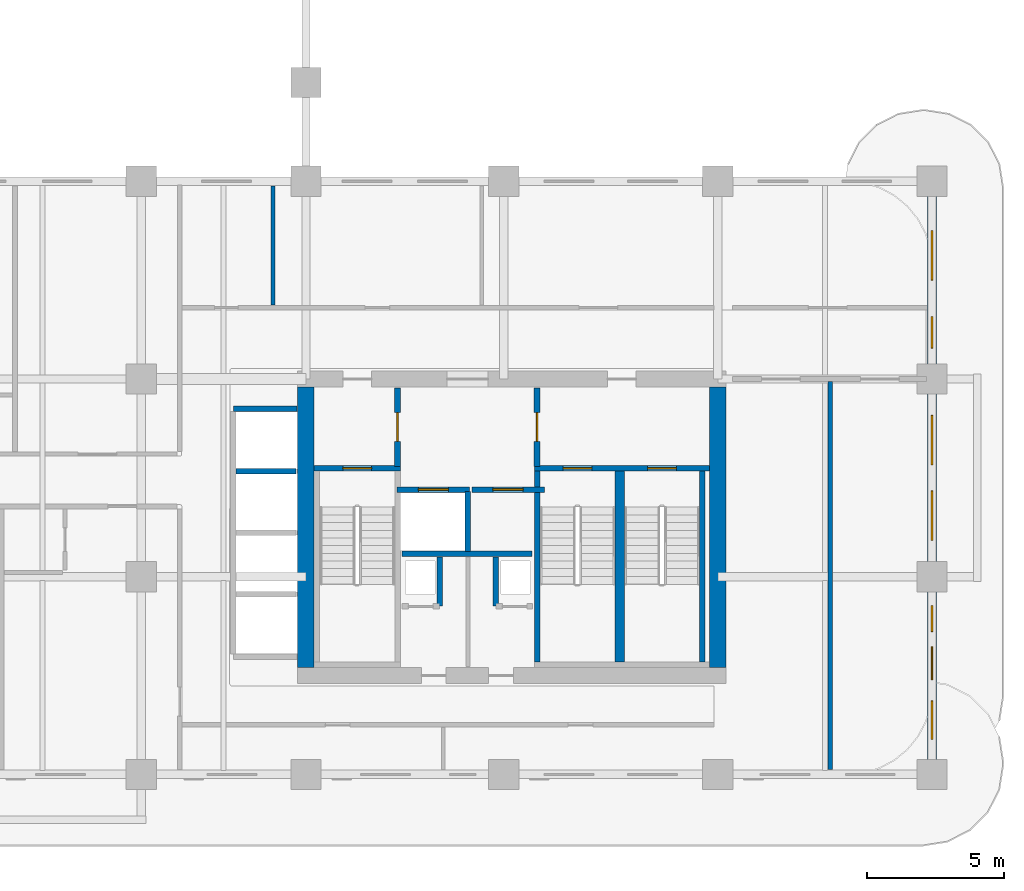
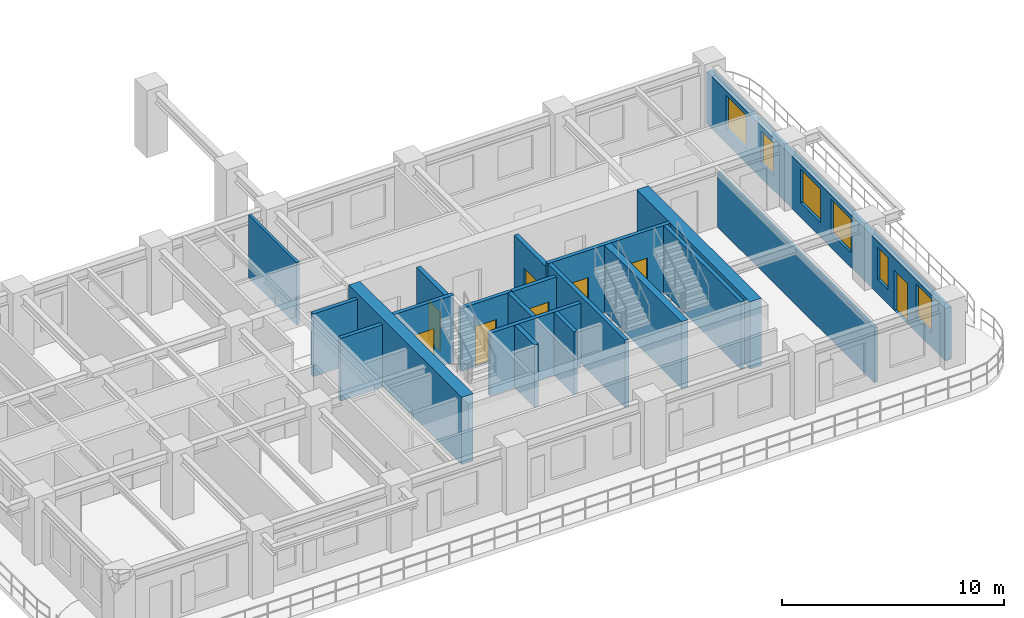
# One storey, part 9 of 19: 20 walls, 8 doors, 6 windows, 14 openings.
"""IFC4 building model written with IfcOpenShell, lengths in metres."""

from ifc_helpers import new_model, si_unit, derived_unit, direction, frame, frame_2d, origin, place, context, subcontext, project, spatial, rectangle, extrude, source, transform, mapped, material, layer, layer_set, type_object, type_shapes, element, fill, save


model = new_model("IFC4")

# Units and contexts
model_context = context("Model", 3, precision=1e-05, world=origin(), true_north=direction((0.0, 1.0)))
body_context = subcontext(model_context, "Body", "Model", "MODEL_VIEW")
ifc_project = project(units=[si_unit("LENGTHUNIT", "METRE"), si_unit("AREAUNIT", "SQUARE_METRE"), si_unit("VOLUMEUNIT", "CUBIC_METRE"), si_unit("PLANEANGLEUNIT", "RADIAN"), si_unit("MASSUNIT", "GRAM", prefix="KILO"), si_unit("THERMODYNAMICTEMPERATUREUNIT", "KELVIN"), si_unit("POWERUNIT", "WATT"), derived_unit("THERMALTRANSMITTANCEUNIT", [(si_unit("POWERUNIT", "WATT"), 1), (si_unit("AREAUNIT", "SQUARE_METRE"), -1), (si_unit("THERMODYNAMICTEMPERATUREUNIT", "KELVIN"), -1)])], contexts=[model_context])

# Site, building, storey
site_placement = place(None, origin())
site = spatial("IfcSite", under=ifc_project, at=site_placement, CompositionType="ELEMENT")
building_placement = place(site_placement, origin())
building = spatial("IfcBuilding", under=site, at=building_placement, Name="Zahravan Archway Hotel and Residences", CompositionType="ELEMENT")
storey_placement = place(building_placement, frame((0.0, 0.0, 47.199951171875)))
storey = spatial("IfcBuildingStorey", under=building, at=storey_placement, Name="L10", CompositionType="ELEMENT", Elevation=47.199951171875)

# Walls
ifc_material_1 = material(Name="Concrete C70/85", Category="concrete")
ifc_layer_1 = layer(ifc_material_1, 0.60009765625, Name="Concrete C70/85", Category="concrete")
ifc_layer_set_1 = layer_set([ifc_layer_1], Name="Concrete C70/85")
wall_type_1 = type_object("IfcWallType", Name="CW-CORE-600", PredefinedType="SHEAR", material=ifc_layer_set_1)
for number, where, z_axis, x_axis, name in (
    (1, (34.800048828125, 3.89990234375, 0.0), (0.0, 0.0, 1.0), (0.0, 1.0, 0.0), "L10 Core A Shear W Wall 600 mm"),
    (2, (49.800048828125, 3.89990234375, 0.0), (0.0, 0.0, 1.0), (0.0, 1.0, 0.0), "L10 Core A Shear E Wall 600 mm"),
):
    element("IfcWall", number, at=place(storey_placement, frame(where, z_axis=z_axis, x_axis=x_axis)), inside=storey, type_object=wall_type_1, Name=name, PredefinedType="SHEAR", context=body_context, shape_type="SweptSolid", body=[
        extrude(rectangle(XDim=10.2001953125, YDim=0.60009765625, at=frame_2d((5.10009765625, 0.0))), origin(), (0.0, 0.0, 1.0), 3.699951171875),
    ])

# Wall, openings, door, windows
ifc_material_2 = material(Name="Agra Buff Sandstone & Insulated Backup", Category="masonry")
ifc_layer_2 = layer(ifc_material_2, 0.320068359375, Name="Agra Buff Sandstone & Insulated Backup", Category="masonry")
ifc_layer_set_2 = layer_set([ifc_layer_2], Name="Agra Buff Sandstone & Insulated Backup")
wall_type_2 = type_object("IfcWallType", Name="EW-SAND-320", PredefinedType="SOLIDWALL", material=ifc_layer_set_2)
wall_1_placement = place(storey_placement, frame((57.60009765625, 0.050048828125, 0.0), z_axis=(0.0, 0.0, 1.0), x_axis=(0.0, 1.0, 0.0)))
wall_1 = element("IfcWall", 3, at=wall_1_placement, inside=storey, type_object=wall_type_2, Name="L10 Exterior Sandstone Wall WA-E", PredefinedType="SOLIDWALL", context=body_context, shape_type="SweptSolid", body=[
    extrude(rectangle(XDim=21.5, YDim=0.320068359375, at=frame_2d((10.75, 0.0))), origin(), (0.0, 0.0, 1.0), 2.885009765625),
])
opening_1_placement = place(wall_1_placement, frame((3.39990234375, 0.0, 0.0)))
opening_1 = element("IfcOpeningElement", 4, at=opening_1_placement, cuts=wall_1, Name="Opening ED-BL1", PredefinedType="OPENING", context=body_context, shape_type="SweptSolid", body=[
    extrude(rectangle(XDim=1.199951171875, YDim=2.199951171875, at=frame_2d((0.60009765625, 1.10009765625))), frame((0.0, 0.169921875, 0.0), z_axis=(0.0, -1.0, 0.0), x_axis=(1.0, 0.0, 0.0)), (0.0, 0.0, 1.0), 0.340087890625),
])
opening_2_placement = place(wall_1_placement, frame((1.22509765625, 0.0, 0.800048828125)))
opening_2 = element("IfcOpeningElement", 5, at=opening_2_placement, cuts=wall_1, Name="Opening W-03", PredefinedType="OPENING", context=body_context, shape_type="SweptSolid", body=[
    extrude(rectangle(XDim=1.39990234375, YDim=1.85009765625, at=frame_2d((0.699951171875, 0.925048828125))), frame((0.0, 0.169921875, 0.0), z_axis=(0.0, -1.0, 0.0), x_axis=(1.0, 0.0, 0.0)), (0.0, 0.0, 1.0), 0.340087890625),
])
opening_3_placement = place(wall_1_placement, frame((5.14990234375, 0.0, 0.800048828125)))
opening_3 = element("IfcOpeningElement", 6, at=opening_3_placement, cuts=wall_1, Name="Opening W-04", PredefinedType="OPENING", context=body_context, shape_type="SweptSolid", body=[
    extrude(rectangle(XDim=0.949951171875, YDim=1.75, at=frame_2d((0.47509765625, 0.875))), frame((0.0, 0.169921875, 0.0), z_axis=(0.0, -1.0, 0.0), x_axis=(1.0, 0.0, 0.0)), (0.0, 0.0, 1.0), 0.340087890625),
])
opening_4_placement = place(wall_1_placement, frame((8.47509765625, 0.0, 0.800048828125)))
opening_4 = element("IfcOpeningElement", 7, at=opening_4_placement, cuts=wall_1, Name="Opening W-02", PredefinedType="OPENING", context=body_context, shape_type="SweptSolid", body=[
    extrude(rectangle(XDim=1.800048828125, YDim=1.85009765625, at=frame_2d((0.89990234375, 0.925048828125))), frame((0.0, 0.169921875, 0.0), z_axis=(0.0, -1.0, 0.0), x_axis=(1.0, 0.0, 0.0)), (0.0, 0.0, 1.0), 0.340087890625),
])
opening_5_placement = place(wall_1_placement, frame((11.22509765625, 0.0, 0.800048828125)))
opening_5 = element("IfcOpeningElement", 8, at=opening_5_placement, cuts=wall_1, Name="Opening W-02", PredefinedType="OPENING", context=body_context, shape_type="SweptSolid", body=[
    extrude(rectangle(XDim=1.800048828125, YDim=1.85009765625, at=frame_2d((0.89990234375, 0.925048828125))), frame((0.0, 0.169921875, 0.0), z_axis=(0.0, -1.0, 0.0), x_axis=(1.0, 0.0, 0.0)), (0.0, 0.0, 1.0), 0.340087890625),
])
opening_6_placement = place(wall_1_placement, frame((15.470947265625, 0.0, 0.800048828125)))
opening_6 = element("IfcOpeningElement", 9, at=opening_6_placement, cuts=wall_1, Name="Opening W-05", PredefinedType="OPENING", context=body_context, shape_type="SweptSolid", body=[
    extrude(rectangle(XDim=1.14990234375, YDim=1.800048828125, at=frame_2d((0.574951171875, 0.89990234375))), frame((0.0, 0.169921875, 0.0), z_axis=(0.0, -1.0, 0.0), x_axis=(1.0, 0.0, 0.0)), (0.0, 0.0, 1.0), 0.340087890625),
])
opening_7_placement = place(wall_1_placement, frame((17.9541015625, 0.0, 0.800048828125)))
opening_7 = element("IfcOpeningElement", 10, at=opening_7_placement, cuts=wall_1, Name="Opening W-02", PredefinedType="OPENING", context=body_context, shape_type="SweptSolid", body=[
    extrude(rectangle(XDim=1.800048828125, YDim=1.85009765625, at=frame_2d((0.89990234375, 0.925048828125))), frame((0.0, 0.169921875, 0.0), z_axis=(0.0, -1.0, 0.0), x_axis=(1.0, 0.0, 0.0)), (0.0, 0.0, 1.0), 0.340087890625),
])
ifc_material_3 = material(Name="Bronze-Anodized Glazed Aluminium", Category="aluminium")
door_type_1 = type_object("IfcDoorType", Name="ED-BALC-1200", OperationType="SLIDING_TO_LEFT", PredefinedType="DOOR", material=ifc_material_3)
shared_shape_1 = source(origin(), body_context, "Body", "SweptSolid", [
    extrude(rectangle(XDim=1.199951171875, YDim=2.199951171875, at=frame_2d((0.60009765625, 1.10009765625))), frame((0.0, 0.02490234375, 0.0), z_axis=(0.0, -1.0, 0.0), x_axis=(1.0, 0.0, 0.0)), (0.0, 0.0, 1.0), 0.050048828125),
])
type_shapes(door_type_1, [shared_shape_1])
door_1_placement = place(opening_1_placement, origin())
door_1 = element("IfcDoor", 11, at=door_1_placement, inside=storey, type_object=door_type_1, Name="L10 Outdoor Access Sliding Door (SLB-BAL-L10-EA)", OperationType="SLIDING_TO_LEFT", OverallHeight=2.199951171875, OverallWidth=1.199951171875, PredefinedType="DOOR", context=body_context, shape_type="MappedRepresentation", body=[
    mapped(shared_shape_1, transform((0.0, 0.0, 0.0), scale=1.0)),
])
fill(opening_1, door_1)
ifc_material_4 = material(Name="Bronze-Anodized Thermal-Break Aluminium & Low-E Glass", Category="aluminium")
window_type_1 = type_object("IfcWindowType", Name="WIN-TWR-1400", PartitioningType="SINGLE_PANEL", PredefinedType="WINDOW", material=ifc_material_4)
shared_shape_2 = source(origin(), body_context, "Body", "SweptSolid", [
    extrude(rectangle(XDim=1.39990234375, YDim=1.85009765625, at=frame_2d((0.699951171875, 0.925048828125))), frame((0.0, 0.030029296875, 0.0), z_axis=(0.0, -1.0, 0.0), x_axis=(1.0, 0.0, 0.0)), (0.0, 0.0, 1.0), 0.06005859375),
])
type_shapes(window_type_1, [shared_shape_2])
window_1_placement = place(opening_2_placement, origin())
window_1 = element("IfcWindow", 12, at=window_1_placement, inside=storey, type_object=window_type_1, Name="L10 Loggia Window 11", OverallHeight=1.85009765625, OverallWidth=1.39990234375, PartitioningType="SINGLE_PANEL", PredefinedType="WINDOW", context=body_context, shape_type="MappedRepresentation", body=[
    mapped(shared_shape_2, transform((0.0, 0.0, 0.0), scale=1.0)),
])
fill(opening_2, window_1)
window_type_2 = type_object("IfcWindowType", Name="WIN-NAR-950", PartitioningType="SINGLE_PANEL", PredefinedType="WINDOW", material=ifc_material_4)
shared_shape_3 = source(origin(), body_context, "Body", "SweptSolid", [
    extrude(rectangle(XDim=0.949951171875, YDim=1.75, at=frame_2d((0.47509765625, 0.875))), frame((0.0, 0.030029296875, 0.0), z_axis=(0.0, -1.0, 0.0), x_axis=(1.0, 0.0, 0.0)), (0.0, 0.0, 1.0), 0.06005859375),
])
type_shapes(window_type_2, [shared_shape_3])
window_2_placement = place(opening_3_placement, origin())
window_2 = element("IfcWindow", 13, at=window_2_placement, inside=storey, type_object=window_type_2, Name="L10 Loggia Window 12", OverallHeight=1.75, OverallWidth=0.949951171875, PartitioningType="SINGLE_PANEL", PredefinedType="WINDOW", context=body_context, shape_type="MappedRepresentation", body=[
    mapped(shared_shape_3, transform((0.0, 0.0, 0.0), scale=1.0)),
])
fill(opening_3, window_2)
window_type_3 = type_object("IfcWindowType", Name="WIN-TWR-1800", PartitioningType="DOUBLE_PANEL_VERTICAL", PredefinedType="WINDOW", material=ifc_material_4)
shared_shape_4 = source(origin(), body_context, "Body", "SweptSolid", [
    extrude(rectangle(XDim=1.800048828125, YDim=1.85009765625, at=frame_2d((0.89990234375, 0.925048828125))), frame((0.0, 0.030029296875, 0.0), z_axis=(0.0, -1.0, 0.0), x_axis=(1.0, 0.0, 0.0)), (0.0, 0.0, 1.0), 0.06005859375),
])
type_shapes(window_type_3, [shared_shape_4])
window_3_placement = place(opening_4_placement, origin())
window_3 = element("IfcWindow", 14, at=window_3_placement, inside=storey, type_object=window_type_3, Name="L10 Loggia Window 13", OverallHeight=1.85009765625, OverallWidth=1.800048828125, PartitioningType="DOUBLE_PANEL_VERTICAL", PredefinedType="WINDOW", context=body_context, shape_type="MappedRepresentation", body=[
    mapped(shared_shape_4, transform((0.0, 0.0, 0.0), scale=1.0)),
])
fill(opening_4, window_3)
window_4_placement = place(opening_5_placement, origin())
window_4 = element("IfcWindow", 15, at=window_4_placement, inside=storey, type_object=window_type_3, Name="L10 Loggia Window 14", OverallHeight=1.85009765625, OverallWidth=1.800048828125, PartitioningType="DOUBLE_PANEL_VERTICAL", PredefinedType="WINDOW", context=body_context, shape_type="MappedRepresentation", body=[
    mapped(shared_shape_4, transform((0.0, 0.0, 0.0), scale=1.0)),
])
fill(opening_5, window_4)
window_5_placement = place(opening_7_placement, origin())
window_5 = element("IfcWindow", 16, at=window_5_placement, inside=storey, type_object=window_type_3, Name="L10 Loggia Window 16", OverallHeight=1.85009765625, OverallWidth=1.800048828125, PartitioningType="DOUBLE_PANEL_VERTICAL", PredefinedType="WINDOW", context=body_context, shape_type="MappedRepresentation", body=[
    mapped(shared_shape_4, transform((0.0, 0.0, 0.0), scale=1.0)),
])
fill(opening_7, window_5)
window_type_4 = type_object("IfcWindowType", Name="WIN-TWR-1150", PartitioningType="SINGLE_PANEL", PredefinedType="WINDOW", material=ifc_material_4)
shared_shape_5 = source(origin(), body_context, "Body", "SweptSolid", [
    extrude(rectangle(XDim=1.14990234375, YDim=1.800048828125, at=frame_2d((0.574951171875, 0.89990234375))), frame((0.0, 0.030029296875, 0.0), z_axis=(0.0, -1.0, 0.0), x_axis=(1.0, 0.0, 0.0)), (0.0, 0.0, 1.0), 0.06005859375),
])
type_shapes(window_type_4, [shared_shape_5])
window_6_placement = place(opening_6_placement, origin())
window_6 = element("IfcWindow", 17, at=window_6_placement, inside=storey, type_object=window_type_4, Name="L10 Loggia Window 15", OverallHeight=1.800048828125, OverallWidth=1.14990234375, PartitioningType="SINGLE_PANEL", PredefinedType="WINDOW", context=body_context, shape_type="MappedRepresentation", body=[
    mapped(shared_shape_5, transform((0.0, 0.0, 0.0), scale=1.0)),
])
fill(opening_6, window_6)

# Wall, opening, door
ifc_material_5 = material(Name="Fire-Rated Gypsum & Concrete Block", Category="concrete")
ifc_layer_3 = layer(ifc_material_5, 0.219970703125, Name="Fire-Rated Gypsum & Concrete Block", Category="concrete")
ifc_layer_set_3 = layer_set([ifc_layer_3], Name="Fire-Rated Gypsum & Concrete Block")
wall_type_3 = type_object("IfcWallType", Name="PW-COMP-220", PredefinedType="PARTITIONING", material=ifc_layer_set_3)
wall_2_placement = place(storey_placement, frame((38.139892578125, 11.219970703125, 0.0), z_axis=(0.0, 0.0, 1.0), x_axis=(0.0, 1.0, 0.0)))
wall_2 = element("IfcWall", 18, at=wall_2_placement, inside=storey, type_object=wall_type_3, Name="L10 Partition CA-LOBW", PredefinedType="PARTITIONING", context=body_context, shape_type="SweptSolid", body=[
    extrude(rectangle(XDim=2.860107421875, YDim=0.219970703125, at=frame_2d((1.43017578125, 0.0))), origin(), (0.0, 0.0, 1.0), 3.449951171875),
])
opening_8_placement = place(wall_2_placement, frame((0.905029296875, 0.0, 0.0)))
opening_8 = element("IfcOpeningElement", 19, at=opening_8_placement, cuts=wall_2, Name="Opening FD-L2", PredefinedType="OPENING", context=body_context, shape_type="SweptSolid", body=[
    extrude(rectangle(XDim=1.050048828125, YDim=2.14990234375, at=frame_2d((0.52490234375, 1.074951171875))), frame((0.0, 0.1201171875, 0.0), z_axis=(0.0, -1.0, 0.0), x_axis=(1.0, 0.0, 0.0)), (0.0, 0.0, 1.0), 0.239990234375),
])
ifc_material_6 = material(Name="Fire-Rated Painted Steel", Category="steel")
door_type_2 = type_object("IfcDoorType", Name="FD-LOBBY-1100", OperationType="NOTDEFINED", PredefinedType="DOOR", material=ifc_material_6)
shared_shape_6 = source(origin(), body_context, "Body", "SweptSolid", [
    extrude(rectangle(XDim=1.050048828125, YDim=2.14990234375, at=frame_2d((0.52490234375, 1.074951171875))), frame((0.0, 0.02490234375, 0.0), z_axis=(0.0, -1.0, 0.0), x_axis=(1.0, 0.0, 0.0)), (0.0, 0.0, 1.0), 0.050048828125),
])
type_shapes(door_type_2, [shared_shape_6])
door_2_placement = place(opening_8_placement, origin())
door_2 = element("IfcDoor", 20, at=door_2_placement, inside=storey, type_object=door_type_2, Name="L10 Core A West Stair to FSAE Lobby Door", OperationType="SINGLE_SWING_RIGHT", OverallHeight=2.14990234375, OverallWidth=1.050048828125, PredefinedType="DOOR", context=body_context, shape_type="MappedRepresentation", body=[
    mapped(shared_shape_6, transform((0.0, 0.0, 0.0), scale=1.0)),
])
fill(opening_8, door_2)

wall_3_placement = place(storey_placement, frame((43.219970703125, 11.219970703125, 0.0), z_axis=(0.0, 0.0, 1.0), x_axis=(0.0, 1.0, 0.0)))
wall_3 = element("IfcWall", 21, at=wall_3_placement, inside=storey, type_object=wall_type_3, Name="L10 Partition CA-LOBE", PredefinedType="PARTITIONING", context=body_context, shape_type="SweptSolid", body=[
    extrude(rectangle(XDim=2.860107421875, YDim=0.219970703125, at=frame_2d((1.43017578125, 0.0))), origin(), (0.0, 0.0, 1.0), 3.449951171875),
])
opening_9_placement = place(wall_3_placement, frame((0.905029296875, 0.0, 0.0)))
opening_9 = element("IfcOpeningElement", 22, at=opening_9_placement, cuts=wall_3, Name="Opening FD-L2", PredefinedType="OPENING", context=body_context, shape_type="SweptSolid", body=[
    extrude(rectangle(XDim=1.050048828125, YDim=2.14990234375, at=frame_2d((0.52490234375, 1.074951171875))), frame((0.0, 0.1201171875, 0.0), z_axis=(0.0, -1.0, 0.0), x_axis=(1.0, 0.0, 0.0)), (0.0, 0.0, 1.0), 0.239990234375),
])
door_3_placement = place(opening_9_placement, origin())
door_3 = element("IfcDoor", 23, at=door_3_placement, inside=storey, type_object=door_type_2, Name="L10 Core A East Stair to FSAE Lobby Door", OperationType="SINGLE_SWING_LEFT", OverallHeight=2.14990234375, OverallWidth=1.050048828125, PredefinedType="DOOR", context=body_context, shape_type="MappedRepresentation", body=[
    mapped(shared_shape_6, transform((0.0, 0.0, 0.0), scale=1.0)),
])
fill(opening_9, door_3)

# Walls
ifc_layer_4 = layer(ifc_material_5, 0.199951171875, Name="Fire-Rated Gypsum & Concrete Block", Category="concrete")
ifc_layer_set_4 = layer_set([ifc_layer_4], Name="Fire-Rated Gypsum & Concrete Block")
wall_type_4 = type_object("IfcWallType", Name="PW-SHAFT-200", PredefinedType="PARTITIONING", material=ifc_layer_set_4)
wall_4_placement = place(storey_placement, frame((38.300048828125, 8.030029296875, 0.0), z_axis=(0.0, 0.0, 1.0), x_axis=(1.0, 0.0, 0.0)))
element("IfcWall", 24, at=wall_4_placement, inside=storey, type_object=wall_type_4, Name="L10 Partition CA-FLS", PredefinedType="PARTITIONING", context=body_context, shape_type="SweptSolid", body=[
    extrude(rectangle(XDim=4.739990234375, YDim=0.199951171875, at=frame_2d((2.3701171875, 0.0))), origin(), (0.0, 0.0, 1.0), 3.449951171875),
])
wall_5_placement = place(storey_placement, frame((40.699951171875, 8.1201171875, 0.0), z_axis=(0.0, 0.0, 1.0), x_axis=(0.0, 1.0, 0.0)))
element("IfcWall", 25, at=wall_5_placement, inside=storey, type_object=wall_type_4, Name="L10 Partition CA-FLM", PredefinedType="PARTITIONING", context=body_context, shape_type="SweptSolid", body=[
    extrude(rectangle(XDim=2.179931640625, YDim=0.199951171875, at=frame_2d((1.08984375, 0.0))), origin(), (0.0, 0.0, 1.0), 3.449951171875),
])
for number, where, z_axis, x_axis, name in (
    (26, (39.679931640625, 6.1298828125, 0.0), (0.0, 0.0, 1.0), (0.0, 1.0, 0.0), "L10 Partition CA-SMKE"),
    (27, (41.719970703125, 6.1298828125, 0.0), (0.0, 0.0, 1.0), (0.0, 1.0, 0.0), "L10 Partition CA-MEPW"),
):
    element("IfcWall", number, at=place(storey_placement, frame(where, z_axis=z_axis, x_axis=x_axis)), inside=storey, type_object=wall_type_4, Name=name, PredefinedType="PARTITIONING", context=body_context, shape_type="SweptSolid", body=[
        extrude(rectangle(XDim=1.7900390625, YDim=0.199951171875, at=frame_2d((0.89501953125, 0.0))), origin(), (0.0, 0.0, 1.0), 3.449951171875),
    ])
wall_6_placement = place(storey_placement, frame((32.159912109375, 13.320068359375, 0.0), z_axis=(0.0, 0.0, 1.0), x_axis=(1.0, 0.0, 0.0)))
element("IfcWall", 28, at=wall_6_placement, inside=storey, type_object=wall_type_4, Name="L10 Partition B3-N", PredefinedType="PARTITIONING", context=body_context, shape_type="SweptSolid", body=[
    extrude(rectangle(XDim=2.31005859375, YDim=0.199951171875, at=frame_2d((1.155029296875, 0.0))), origin(), (0.0, 0.0, 1.0), 3.449951171875),
])
wall_7_placement = place(storey_placement, frame((32.260009765625, 11.0400390625, 0.0), z_axis=(0.0, 0.0, 1.0), x_axis=(1.0, 0.0, 0.0)))
element("IfcWall", 29, at=wall_7_placement, inside=storey, type_object=wall_type_4, Name="L10 Partition B3-D", PredefinedType="PARTITIONING", context=body_context, shape_type="SweptSolid", body=[
    extrude(rectangle(XDim=2.179931640625, YDim=0.199951171875, at=frame_2d((1.08984375, 0.0))), origin(), (0.0, 0.0, 1.0), 3.449951171875),
])

# Wall, opening, door
wall_8_placement = place(storey_placement, frame((38.1201171875, 10.3701171875, 0.0), z_axis=(0.0, 0.0, 1.0), x_axis=(1.0, 0.0, 0.0)))
wall_8 = element("IfcWall", 30, at=wall_8_placement, inside=storey, type_object=wall_type_4, Name="L10 Lift FL-1 Front Wall", PredefinedType="PARTITIONING", context=body_context, shape_type="SweptSolid", body=[
    extrude(rectangle(XDim=2.639892578125, YDim=0.199951171875, at=frame_2d((1.31982421875, 0.0))), origin(), (0.0, 0.0, 1.0), 3.449951171875),
])
opening_10_placement = place(wall_8_placement, frame((0.77001953125, 0.0, 0.0)))
opening_10 = element("IfcOpeningElement", 31, at=opening_10_placement, cuts=wall_8, Name="Opening LD", PredefinedType="OPENING", context=body_context, shape_type="SweptSolid", body=[
    extrude(rectangle(XDim=1.10009765625, YDim=2.199951171875, at=frame_2d((0.550048828125, 1.10009765625))), frame((0.0, 0.10986328125, 0.0), z_axis=(0.0, -1.0, 0.0), x_axis=(1.0, 0.0, 0.0)), (0.0, 0.0, 1.0), 0.219970703125),
])
ifc_material_7 = material(Name="Brushed Stainless Steel", Category="steel")
door_type_3 = type_object("IfcDoorType", Name="DR-LIFT-LD", OperationType="SLIDING_TO_LEFT", PredefinedType="DOOR", material=ifc_material_7)
shared_shape_7 = source(origin(), body_context, "Body", "SweptSolid", [
    extrude(rectangle(XDim=1.10009765625, YDim=2.199951171875, at=frame_2d((0.550048828125, 1.10009765625))), frame((0.0, 0.02490234375, 0.0), z_axis=(0.0, -1.0, 0.0), x_axis=(1.0, 0.0, 0.0)), (0.0, 0.0, 1.0), 0.050048828125),
])
type_shapes(door_type_3, [shared_shape_7])
door_4_placement = place(opening_10_placement, origin())
door_4 = element("IfcDoor", 32, at=door_4_placement, inside=storey, type_object=door_type_3, Name="L10 Lift FL-1 Sliding Landing Door", OperationType="SLIDING_TO_LEFT", OverallHeight=2.199951171875, OverallWidth=1.10009765625, PredefinedType="DOOR", context=body_context, shape_type="MappedRepresentation", body=[
    mapped(shared_shape_7, transform((0.0, 0.0, 0.0), scale=1.0)),
])
fill(opening_10, door_4)

wall_9_placement = place(storey_placement, frame((40.840087890625, 10.3701171875, 0.0), z_axis=(0.0, 0.0, 1.0), x_axis=(1.0, 0.0, 0.0)))
wall_9 = element("IfcWall", 33, at=wall_9_placement, inside=storey, type_object=wall_type_4, Name="L10 Lift FL-2 Front Wall", PredefinedType="PARTITIONING", context=body_context, shape_type="SweptSolid", body=[
    extrude(rectangle(XDim=2.639892578125, YDim=0.199951171875, at=frame_2d((1.31982421875, 0.0))), origin(), (0.0, 0.0, 1.0), 3.449951171875),
])
opening_11_placement = place(wall_9_placement, frame((0.77001953125, 0.0, 0.0)))
opening_11 = element("IfcOpeningElement", 34, at=opening_11_placement, cuts=wall_9, Name="Opening LD", PredefinedType="OPENING", context=body_context, shape_type="SweptSolid", body=[
    extrude(rectangle(XDim=1.10009765625, YDim=2.199951171875, at=frame_2d((0.550048828125, 1.10009765625))), frame((0.0, 0.10986328125, 0.0), z_axis=(0.0, -1.0, 0.0), x_axis=(1.0, 0.0, 0.0)), (0.0, 0.0, 1.0), 0.219970703125),
])
door_5_placement = place(opening_11_placement, origin())
door_5 = element("IfcDoor", 35, at=door_5_placement, inside=storey, type_object=door_type_3, Name="L10 Lift FL-2 Sliding Landing Door", OperationType="SLIDING_TO_LEFT", OverallHeight=2.199951171875, OverallWidth=1.10009765625, PredefinedType="DOOR", context=body_context, shape_type="MappedRepresentation", body=[
    mapped(shared_shape_7, transform((0.0, 0.0, 0.0), scale=1.0)),
])
fill(opening_11, door_5)

# Walls
ifc_material_8 = material(Name="Acoustic Stud Partition")
ifc_layer_5 = layer(ifc_material_8, 0.169921875, Name="Acoustic Stud Partition")
ifc_layer_set_5 = layer_set([ifc_layer_5], Name="Acoustic Stud Partition")
wall_type_5 = type_object("IfcWallType", Name="PW-UNIT-170", PredefinedType="PARTITIONING", material=ifc_layer_set_5)
wall_10_placement = place(storey_placement, frame((53.89990234375, 0.16796875, 0.0), z_axis=(0.0, 0.0, 1.0), x_axis=(0.0, 1.0, 0.0)))
element("IfcWall", 36, at=wall_10_placement, inside=storey, type_object=wall_type_5, Name="L10 Partition EA-EV", PredefinedType="PARTITIONING", context=body_context, shape_type="SweptSolid", body=[
    extrude(rectangle(XDim=14.14208984375, YDim=0.169921875, at=frame_2d((7.071044921875, 0.0))), origin(), (0.0, 0.0, 1.0), 3.03515625),
])
ifc_material_9 = material(Name="Moisture-Resistant Blockwork", Category="masonry")
ifc_layer_6 = layer(ifc_material_9, 0.139892578125, Name="Moisture-Resistant Blockwork", Category="masonry")
ifc_layer_set_6 = layer_set([ifc_layer_6], Name="Moisture-Resistant Blockwork")
wall_type_6 = type_object("IfcWallType", Name="PW-WET-140", PredefinedType="PARTITIONING", material=ifc_layer_set_6)
wall_11_placement = place(storey_placement, frame((33.60009765625, 17.090087890625, 0.0), z_axis=(0.0, 0.0, 1.0), x_axis=(0.0, 1.0, 0.0)))
element("IfcWall", 37, at=wall_11_placement, inside=storey, type_object=wall_type_6, Name="L10 Partition NE0-1", PredefinedType="PARTITIONING", context=body_context, shape_type="SweptSolid", body=[
    extrude(rectangle(XDim=4.341796875, YDim=0.139892578125, at=frame_2d((2.1708984375, 0.0))), origin(), (0.0, 0.0, 1.0), 3.449951171875),
])

# Wall, opening, door
ifc_material_10 = material(Name="Concrete C50/60", Category="concrete")
ifc_layer_7 = layer(ifc_material_10, 0.199951171875, Name="Concrete C50/60", Category="concrete")
ifc_layer_set_7 = layer_set([ifc_layer_7], Name="Concrete C50/60")
wall_type_7 = type_object("IfcWallType", Name="SW-STAIR-200", PredefinedType="SHEAR", material=ifc_layer_set_7)
wall_12_placement = place(storey_placement, frame((35.10009765625, 11.14990234375, 0.0), z_axis=(0.0, 0.0, 1.0), x_axis=(1.0, 0.0, 0.0)))
wall_12 = element("IfcWall", 38, at=wall_12_placement, inside=storey, type_object=wall_type_7, Name="L10 Stairwell RC Wall CA-SA1N", PredefinedType="SHEAR", context=body_context, shape_type="SweptSolid", body=[
    extrude(rectangle(XDim=3.139892578125, YDim=0.199951171875, at=frame_2d((1.56982421875, 0.0))), origin(), (0.0, 0.0, 1.0), 3.699951171875),
])
opening_12_placement = place(wall_12_placement, frame((1.044921875, 0.0, 0.0)))
opening_12 = element("IfcOpeningElement", 39, at=opening_12_placement, cuts=wall_12, Name="Opening FD-S1", PredefinedType="OPENING", context=body_context, shape_type="SweptSolid", body=[
    extrude(rectangle(XDim=1.050048828125, YDim=2.199951171875, at=frame_2d((0.52490234375, 1.10009765625))), frame((0.0, 0.10986328125, 0.0), z_axis=(0.0, -1.0, 0.0), x_axis=(1.0, 0.0, 0.0)), (0.0, 0.0, 1.0), 0.219970703125),
])
door_type_4 = type_object("IfcDoorType", Name="FD-STAIR-1100", OperationType="NOTDEFINED", PredefinedType="DOOR", material=ifc_material_6)
shared_shape_8 = source(origin(), body_context, "Body", "SweptSolid", [
    extrude(rectangle(XDim=1.050048828125, YDim=2.199951171875, at=frame_2d((0.52490234375, 1.10009765625))), frame((0.0, 0.02490234375, 0.0), z_axis=(0.0, -1.0, 0.0), x_axis=(1.0, 0.0, 0.0)), (0.0, 0.0, 1.0), 0.050048828125),
])
type_shapes(door_type_4, [shared_shape_8])
door_6_placement = place(opening_12_placement, origin())
door_6 = element("IfcDoor", 40, at=door_6_placement, inside=storey, type_object=door_type_4, Name="L10 Stair ST-A1 Door", OperationType="SINGLE_SWING_LEFT", OverallHeight=2.199951171875, OverallWidth=1.050048828125, PredefinedType="DOOR", context=body_context, shape_type="MappedRepresentation", body=[
    mapped(shared_shape_8, transform((0.0, 0.0, 0.0), scale=1.0)),
])
fill(opening_12, door_6)

# Walls
for number, where, z_axis, x_axis, name in (
    (41, (43.219970703125, 4.10009765625, 0.0), (0.0, 0.0, 1.0), (0.0, 1.0, 0.0), "L10 Stairwell RC Wall CA-SA2W"),
    (42, (49.239990234375, 4.10009765625, 0.0), (0.0, 0.0, 1.0), (0.0, 1.0, 0.0), "L10 Stairwell RC Wall CA-SA3E"),
):
    element("IfcWall", number, at=place(storey_placement, frame(where, z_axis=z_axis, x_axis=x_axis)), inside=storey, type_object=wall_type_7, Name=name, PredefinedType="SHEAR", context=body_context, shape_type="SweptSolid", body=[
        extrude(rectangle(XDim=6.949951171875, YDim=0.199951171875, at=frame_2d((3.47509765625, 0.0))), origin(), (0.0, 0.0, 1.0), 3.699951171875),
    ])

# Wall, openings, doors
wall_13_placement = place(storey_placement, frame((43.1201171875, 11.14990234375, 0.0), z_axis=(0.0, 0.0, 1.0), x_axis=(1.0, 0.0, 0.0)))
wall_13 = element("IfcWall", 43, at=wall_13_placement, inside=storey, type_object=wall_type_7, Name="L10 Stairwell RC Wall CA-SA23N", PredefinedType="SHEAR", context=body_context, shape_type="SweptSolid", body=[
    extrude(rectangle(XDim=6.3798828125, YDim=0.199951171875, at=frame_2d((3.18994140625, 0.0))), origin(), (0.0, 0.0, 1.0), 3.699951171875),
])
opening_13_placement = place(wall_13_placement, frame((1.044921875, 0.0, 0.0)))
opening_13 = element("IfcOpeningElement", 44, at=opening_13_placement, cuts=wall_13, Name="Opening FD-S1", PredefinedType="OPENING", context=body_context, shape_type="SweptSolid", body=[
    extrude(rectangle(XDim=1.050048828125, YDim=2.199951171875, at=frame_2d((0.52490234375, 1.10009765625))), frame((0.0, 0.10986328125, 0.0), z_axis=(0.0, -1.0, 0.0), x_axis=(1.0, 0.0, 0.0)), (0.0, 0.0, 1.0), 0.219970703125),
])
opening_14_placement = place(wall_13_placement, frame((4.125, 0.0, 0.0)))
opening_14 = element("IfcOpeningElement", 45, at=opening_14_placement, cuts=wall_13, Name="Opening FD-S1", PredefinedType="OPENING", context=body_context, shape_type="SweptSolid", body=[
    extrude(rectangle(XDim=1.050048828125, YDim=2.199951171875, at=frame_2d((0.52490234375, 1.10009765625))), frame((0.0, 0.10986328125, 0.0), z_axis=(0.0, -1.0, 0.0), x_axis=(1.0, 0.0, 0.0)), (0.0, 0.0, 1.0), 0.219970703125),
])
door_7_placement = place(opening_13_placement, origin())
door_7 = element("IfcDoor", 46, at=door_7_placement, inside=storey, type_object=door_type_4, Name="L10 Stair ST-A2 Door", OperationType="SINGLE_SWING_RIGHT", OverallHeight=2.199951171875, OverallWidth=1.050048828125, PredefinedType="DOOR", context=body_context, shape_type="MappedRepresentation", body=[
    mapped(shared_shape_8, transform((0.0, 0.0, 0.0), scale=1.0)),
])
fill(opening_13, door_7)
door_8_placement = place(opening_14_placement, origin())
door_8 = element("IfcDoor", 47, at=door_8_placement, inside=storey, type_object=door_type_4, Name="L10 Stair ST-A3 Door", OperationType="SINGLE_SWING_LEFT", OverallHeight=2.199951171875, OverallWidth=1.050048828125, PredefinedType="DOOR", context=body_context, shape_type="MappedRepresentation", body=[
    mapped(shared_shape_8, transform((0.0, 0.0, 0.0), scale=1.0)),
])
fill(opening_14, door_8)

# Wall
ifc_layer_8 = layer(ifc_material_10, 0.340087890625, Name="Concrete C50/60", Category="concrete")
ifc_layer_set_8 = layer_set([ifc_layer_8], Name="Concrete C50/60")
wall_type_8 = type_object("IfcWallType", Name="SW-STAIR-340", PredefinedType="SHEAR", material=ifc_layer_set_8)
wall_14_placement = place(storey_placement, frame((46.22998046875, 4.10009765625, 0.0), z_axis=(0.0, 0.0, 1.0), x_axis=(0.0, 1.0, 0.0)))
element("IfcWall", 48, at=wall_14_placement, inside=storey, type_object=wall_type_8, Name="L10 Stairwell RC Wall CA-SA23M", PredefinedType="SHEAR", context=body_context, shape_type="SweptSolid", body=[
    extrude(rectangle(XDim=6.949951171875, YDim=0.340087890625, at=frame_2d((3.47509765625, 0.0))), origin(), (0.0, 0.0, 1.0), 3.699951171875),
])

save(model, "model.ifc")
